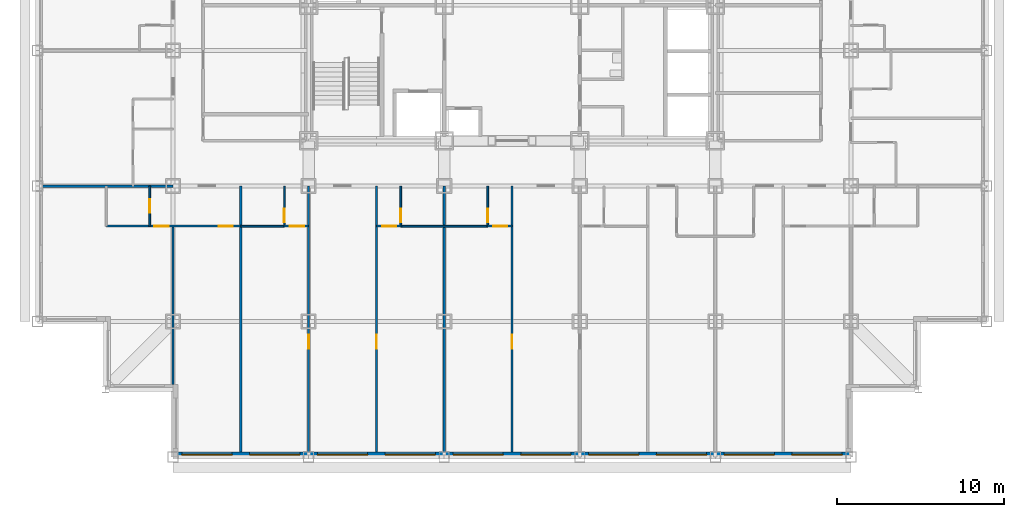
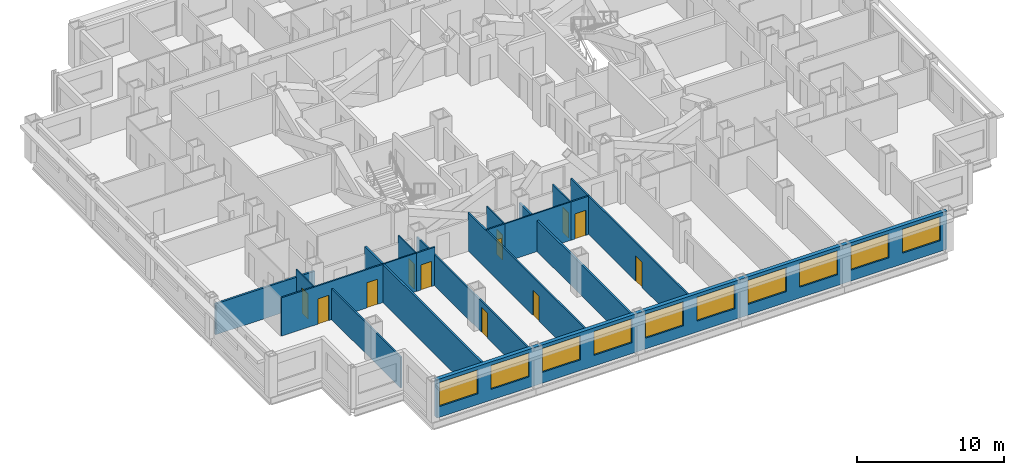
# One storey, part 4 of 14: 18 walls, 12 doors, 10 windows, 22 openings.
"""IFC4 building model written with IfcOpenShell, lengths in metres."""

from ifc_helpers import new_model, si_unit, direction, frame, frame_2d, origin, place, context, subcontext, project, spatial, rectangle, extrude, material, layer, layer_set, type_object, element, fill, save


model = new_model("IFC4")

# Units and contexts
model_context = context("Model", 3, precision=1e-05, world=origin(), true_north=direction((0.0, 1.0)))
body_context = subcontext(model_context, "Body", "Model", "MODEL_VIEW")
ifc_project = project(units=[si_unit("LENGTHUNIT", "METRE"), si_unit("AREAUNIT", "SQUARE_METRE"), si_unit("VOLUMEUNIT", "CUBIC_METRE"), si_unit("PLANEANGLEUNIT", "RADIAN"), si_unit("MASSUNIT", "GRAM", prefix="KILO")], contexts=[model_context])

# Site, building, storey
site_placement = place(None, origin())
site = spatial("IfcSite", under=ifc_project, at=site_placement, CompositionType="ELEMENT")
building_placement = place(site_placement, origin())
building = spatial("IfcBuilding", under=site, at=building_placement, Name="Kopane Lantern Tower", CompositionType="ELEMENT")
storey_placement = place(building_placement, frame((0.0, 0.0, 127.199951171875)))
storey = spatial("IfcBuildingStorey", under=building, at=storey_placement, Name="L32", CompositionType="ELEMENT", Elevation=127.199951171875)

# Wall, opening, door
ifc_material_1 = material(Name="Gypsum board on steel studs", Category="steel")
ifc_layer_1 = layer(ifc_material_1, 0.1201171875)
ifc_layer_set_1 = layer_set([ifc_layer_1], Name="APARTMENT INTERNAL WALL 120")
wall_type_1 = type_object("IfcWallType", Name="APARTMENT INTERNAL WALL 120", PredefinedType="PARTITIONING", material=ifc_layer_set_1)
wall_1_placement = place(storey_placement, frame((16.199951171875, 21.60009765625, 0.0), z_axis=(0.0, 0.0, 1.0), x_axis=(0.0, -1.0, 0.0)))
wall_1 = element("IfcWall", 1, at=wall_1_placement, inside=storey, type_object=wall_type_1, Name="Apartment Internal Wall 120 L32", PredefinedType="PARTITIONING", context=body_context, shape_type="SweptSolid", body=[
    extrude(rectangle(XDim=15.900146484375, YDim=0.1201171875, at=frame_2d((7.9501953125, 0.0))), origin(), (0.0, 0.0, 1.0), 2.577880859375),
])
opening_1_placement = place(wall_1_placement, frame((8.875, 0.0, 0.0)))
opening_1 = element("IfcOpeningElement", 2, at=opening_1_placement, cuts=wall_1, Name="Opening L32-017", PredefinedType="OPENING", context=body_context, shape_type="SweptSolid", body=[
    extrude(rectangle(XDim=0.85009765625, YDim=2.10009765625, at=frame_2d((0.425048828125, 1.050048828125))), frame((0.0, 0.070068359375, 0.0), z_axis=(0.0, -1.0, 0.0), x_axis=(1.0, 0.0, 0.0)), (0.0, 0.0, 1.0), 0.14013671875),
])
ifc_material_2 = material(Name="Timber door set", Category="wood")
door_type_1 = type_object("IfcDoorType", Name="DOOR D4 850x2100", OperationType="SINGLE_SWING_LEFT", PredefinedType="DOOR", material=ifc_material_2)
door_1_placement = place(opening_1_placement, origin())
door_1 = element("IfcDoor", 3, at=door_1_placement, inside=storey, type_object=door_type_1, Name="Door L32-017", OperationType="SINGLE_SWING_RIGHT", OverallHeight=2.10009765625, OverallWidth=0.85009765625, PredefinedType="DOOR", context=body_context, shape_type="SweptSolid", body=[
    extrude(rectangle(XDim=0.85009765625, YDim=2.10009765625, at=frame_2d((0.425048828125, 1.050048828125))), frame((0.0, 0.02490234375, 0.0), z_axis=(0.0, -1.0, 0.0), x_axis=(1.0, 0.0, 0.0)), (0.0, 0.0, 1.0), 0.050048828125),
])
fill(opening_1, door_1)

wall_2_placement = place(storey_placement, frame((20.25, 21.60009765625, 0.0), z_axis=(0.0, 0.0, 1.0), x_axis=(0.0, -1.0, 0.0)))
wall_2 = element("IfcWall", 4, at=wall_2_placement, inside=storey, type_object=wall_type_1, Name="Apartment Internal Wall 120 L32", PredefinedType="PARTITIONING", context=body_context, shape_type="SweptSolid", body=[
    extrude(rectangle(XDim=15.900146484375, YDim=0.1201171875, at=frame_2d((7.9501953125, 0.0))), origin(), (0.0, 0.0, 1.0), 3.18994140625),
])
opening_2_placement = place(wall_2_placement, frame((8.875, 0.0, 0.0)))
opening_2 = element("IfcOpeningElement", 5, at=opening_2_placement, cuts=wall_2, Name="Opening L32-019", PredefinedType="OPENING", context=body_context, shape_type="SweptSolid", body=[
    extrude(rectangle(XDim=0.85009765625, YDim=2.10009765625, at=frame_2d((0.425048828125, 1.050048828125))), frame((0.0, 0.070068359375, 0.0), z_axis=(0.0, -1.0, 0.0), x_axis=(1.0, 0.0, 0.0)), (0.0, 0.0, 1.0), 0.14013671875),
])
door_2_placement = place(opening_2_placement, origin())
door_2 = element("IfcDoor", 6, at=door_2_placement, inside=storey, type_object=door_type_1, Name="Door L32-019", OperationType="SINGLE_SWING_LEFT", OverallHeight=2.10009765625, OverallWidth=0.85009765625, PredefinedType="DOOR", context=body_context, shape_type="SweptSolid", body=[
    extrude(rectangle(XDim=0.85009765625, YDim=2.10009765625, at=frame_2d((0.425048828125, 1.050048828125))), frame((0.0, 0.02490234375, 0.0), z_axis=(0.0, -1.0, 0.0), x_axis=(1.0, 0.0, 0.0)), (0.0, 0.0, 1.0), 0.050048828125),
])
fill(opening_2, door_2)

wall_3_placement = place(storey_placement, frame((28.35009765625, 21.60009765625, 0.0), z_axis=(0.0, 0.0, 1.0), x_axis=(0.0, -1.0, 0.0)))
wall_3 = element("IfcWall", 7, at=wall_3_placement, inside=storey, type_object=wall_type_1, Name="Apartment Internal Wall 120 L32", PredefinedType="PARTITIONING", context=body_context, shape_type="SweptSolid", body=[
    extrude(rectangle(XDim=15.900146484375, YDim=0.1201171875, at=frame_2d((7.9501953125, 0.0))), origin(), (0.0, 0.0, 1.0), 3.18994140625),
])
opening_3_placement = place(wall_3_placement, frame((8.875, 0.0, 0.0)))
opening_3 = element("IfcOpeningElement", 8, at=opening_3_placement, cuts=wall_3, Name="Opening L32-022", PredefinedType="OPENING", context=body_context, shape_type="SweptSolid", body=[
    extrude(rectangle(XDim=0.85009765625, YDim=2.10009765625, at=frame_2d((0.425048828125, 1.050048828125))), frame((0.0, 0.070068359375, 0.0), z_axis=(0.0, -1.0, 0.0), x_axis=(1.0, 0.0, 0.0)), (0.0, 0.0, 1.0), 0.14013671875),
])
door_3_placement = place(opening_3_placement, origin())
door_3 = element("IfcDoor", 9, at=door_3_placement, inside=storey, type_object=door_type_1, Name="Door L32-022", OperationType="SINGLE_SWING_RIGHT", OverallHeight=2.10009765625, OverallWidth=0.85009765625, PredefinedType="DOOR", context=body_context, shape_type="SweptSolid", body=[
    extrude(rectangle(XDim=0.85009765625, YDim=2.10009765625, at=frame_2d((0.425048828125, 1.050048828125))), frame((0.0, 0.02490234375, 0.0), z_axis=(0.0, -1.0, 0.0), x_axis=(1.0, 0.0, 0.0)), (0.0, 0.0, 1.0), 0.050048828125),
])
fill(opening_3, door_3)

# Wall, openings, doors
wall_4_placement = place(storey_placement, frame((4.10009765625, 19.199951171875, 0.0), z_axis=(0.0, 0.0, 1.0), x_axis=(1.0, 0.0, 0.0)))
wall_4 = element("IfcWall", 10, at=wall_4_placement, inside=storey, type_object=wall_type_1, Name="Apartment Internal Wall 120 L32", PredefinedType="PARTITIONING", context=body_context, shape_type="SweptSolid", body=[
    extrude(rectangle(XDim=8.0498046875, YDim=0.1201171875, at=frame_2d((4.02490234375, 0.0))), origin(), (0.0, 0.0, 1.0), 3.18994140625),
])
opening_4_placement = place(wall_4_placement, frame((6.72509765625, 0.0, 0.0)))
opening_4 = element("IfcOpeningElement", 11, at=opening_4_placement, cuts=wall_4, Name="Opening L32-066", PredefinedType="OPENING", context=body_context, shape_type="SweptSolid", body=[
    extrude(rectangle(XDim=0.85009765625, YDim=2.10009765625, at=frame_2d((0.425048828125, 1.050048828125))), frame((0.0, 0.070068359375, 0.0), z_axis=(0.0, -1.0, 0.0), x_axis=(1.0, 0.0, 0.0)), (0.0, 0.0, 1.0), 0.14013671875),
])
opening_5_placement = place(wall_4_placement, frame((2.875, 0.0, 0.0)))
opening_5 = element("IfcOpeningElement", 12, at=opening_5_placement, cuts=wall_4, Name="Opening L32-068", PredefinedType="OPENING", context=body_context, shape_type="SweptSolid", body=[
    extrude(rectangle(XDim=0.85009765625, YDim=2.10009765625, at=frame_2d((0.425048828125, 1.050048828125))), frame((0.0, 0.070068359375, 0.0), z_axis=(0.0, -1.0, 0.0), x_axis=(1.0, 0.0, 0.0)), (0.0, 0.0, 1.0), 0.14013671875),
])
door_4_placement = place(opening_4_placement, origin())
door_4 = element("IfcDoor", 13, at=door_4_placement, inside=storey, type_object=door_type_1, Name="Door L32-066", OperationType="SINGLE_SWING_RIGHT", OverallHeight=2.10009765625, OverallWidth=0.85009765625, PredefinedType="DOOR", context=body_context, shape_type="SweptSolid", body=[
    extrude(rectangle(XDim=0.85009765625, YDim=2.10009765625, at=frame_2d((0.425048828125, 1.050048828125))), frame((0.0, 0.02490234375, 0.0), z_axis=(0.0, -1.0, 0.0), x_axis=(1.0, 0.0, 0.0)), (0.0, 0.0, 1.0), 0.050048828125),
])
fill(opening_4, door_4)
door_5_placement = place(opening_5_placement, origin())
door_5 = element("IfcDoor", 14, at=door_5_placement, inside=storey, type_object=door_type_1, Name="Door L32-068", OperationType="SINGLE_SWING_LEFT", OverallHeight=2.10009765625, OverallWidth=0.85009765625, PredefinedType="DOOR", context=body_context, shape_type="SweptSolid", body=[
    extrude(rectangle(XDim=0.85009765625, YDim=2.10009765625, at=frame_2d((0.425048828125, 1.050048828125))), frame((0.0, 0.02490234375, 0.0), z_axis=(0.0, -1.0, 0.0), x_axis=(1.0, 0.0, 0.0)), (0.0, 0.0, 1.0), 0.050048828125),
])
fill(opening_5, door_5)

# Wall
wall_5_placement = place(storey_placement, frame((8.10009765625, 19.199951171875, 0.0), z_axis=(0.0, 0.0, 1.0), x_axis=(0.0, -1.0, 0.0)))
element("IfcWall", 15, at=wall_5_placement, inside=storey, type_object=wall_type_1, Name="Apartment Internal Wall 120 L32", PredefinedType="PARTITIONING", context=body_context, shape_type="SweptSolid", body=[
    extrude(rectangle(XDim=9.449951171875, YDim=0.1201171875, at=frame_2d((4.72509765625, 0.0))), origin(), (0.0, 0.0, 1.0), 2.577880859375),
])

# Wall, opening, door
wall_6_placement = place(storey_placement, frame((16.199951171875, 19.199951171875, 0.0), z_axis=(0.0, 0.0, 1.0), x_axis=(-1.0, 0.0, 0.0)))
wall_6 = element("IfcWall", 16, at=wall_6_placement, inside=storey, type_object=wall_type_1, Name="Apartment Internal Wall 120 L32", PredefinedType="PARTITIONING", context=body_context, shape_type="SweptSolid", body=[
    extrude(rectangle(XDim=1.4599609375, YDim=0.1201171875, at=frame_2d((0.72998046875, 0.0))), origin(), (0.0, 0.0, 1.0), 3.18994140625),
])
opening_6_placement = place(wall_6_placement, frame((0.27490234375, 0.0, 0.0)))
opening_6 = element("IfcOpeningElement", 17, at=opening_6_placement, cuts=wall_6, Name="Opening L32-079", PredefinedType="OPENING", context=body_context, shape_type="SweptSolid", body=[
    extrude(rectangle(XDim=0.85009765625, YDim=2.10009765625, at=frame_2d((0.425048828125, 1.050048828125))), frame((0.0, 0.070068359375, 0.0), z_axis=(0.0, -1.0, 0.0), x_axis=(1.0, 0.0, 0.0)), (0.0, 0.0, 1.0), 0.14013671875),
])
door_6_placement = place(opening_6_placement, origin())
door_6 = element("IfcDoor", 18, at=door_6_placement, inside=storey, type_object=door_type_1, Name="Door L32-079", OperationType="SINGLE_SWING_LEFT", OverallHeight=2.10009765625, OverallWidth=0.85009765625, PredefinedType="DOOR", context=body_context, shape_type="SweptSolid", body=[
    extrude(rectangle(XDim=0.85009765625, YDim=2.10009765625, at=frame_2d((0.425048828125, 1.050048828125))), frame((0.0, 0.02490234375, 0.0), z_axis=(0.0, -1.0, 0.0), x_axis=(1.0, 0.0, 0.0)), (0.0, 0.0, 1.0), 0.050048828125),
])
fill(opening_6, door_6)

wall_7_placement = place(storey_placement, frame((21.7099609375, 19.199951171875, 0.0), z_axis=(0.0, 0.0, 1.0), x_axis=(-1.0, 0.0, 0.0)))
wall_7 = element("IfcWall", 19, at=wall_7_placement, inside=storey, type_object=wall_type_1, Name="Apartment Internal Wall 120 L32", PredefinedType="PARTITIONING", context=body_context, shape_type="SweptSolid", body=[
    extrude(rectangle(XDim=1.4599609375, YDim=0.1201171875, at=frame_2d((0.72998046875, 0.0))), origin(), (0.0, 0.0, 1.0), 3.18994140625),
])
opening_7_placement = place(wall_7_placement, frame((0.27490234375, 0.0, 0.0)))
opening_7 = element("IfcOpeningElement", 20, at=opening_7_placement, cuts=wall_7, Name="Opening L32-080", PredefinedType="OPENING", context=body_context, shape_type="SweptSolid", body=[
    extrude(rectangle(XDim=0.85009765625, YDim=2.10009765625, at=frame_2d((0.425048828125, 1.050048828125))), frame((0.0, 0.070068359375, 0.0), z_axis=(0.0, -1.0, 0.0), x_axis=(1.0, 0.0, 0.0)), (0.0, 0.0, 1.0), 0.14013671875),
])
door_7_placement = place(opening_7_placement, origin())
door_7 = element("IfcDoor", 21, at=door_7_placement, inside=storey, type_object=door_type_1, Name="Door L32-080", OperationType="SINGLE_SWING_RIGHT", OverallHeight=2.10009765625, OverallWidth=0.85009765625, PredefinedType="DOOR", context=body_context, shape_type="SweptSolid", body=[
    extrude(rectangle(XDim=0.85009765625, YDim=2.10009765625, at=frame_2d((0.425048828125, 1.050048828125))), frame((0.0, 0.02490234375, 0.0), z_axis=(0.0, -1.0, 0.0), x_axis=(1.0, 0.0, 0.0)), (0.0, 0.0, 1.0), 0.050048828125),
])
fill(opening_7, door_7)

wall_8_placement = place(storey_placement, frame((28.35009765625, 19.199951171875, 0.0), z_axis=(0.0, 0.0, 1.0), x_axis=(-1.0, 0.0, 0.0)))
wall_8 = element("IfcWall", 22, at=wall_8_placement, inside=storey, type_object=wall_type_1, Name="Apartment Internal Wall 120 L32", PredefinedType="PARTITIONING", context=body_context, shape_type="SweptSolid", body=[
    extrude(rectangle(XDim=1.460205078125, YDim=0.1201171875, at=frame_2d((0.72998046875, 0.0))), origin(), (0.0, 0.0, 1.0), 3.18994140625),
])
opening_8_placement = place(wall_8_placement, frame((0.27490234375, 0.0, 0.0)))
opening_8 = element("IfcOpeningElement", 23, at=opening_8_placement, cuts=wall_8, Name="Opening L32-081", PredefinedType="OPENING", context=body_context, shape_type="SweptSolid", body=[
    extrude(rectangle(XDim=0.85009765625, YDim=2.10009765625, at=frame_2d((0.425048828125, 1.050048828125))), frame((0.0, 0.070068359375, 0.0), z_axis=(0.0, -1.0, 0.0), x_axis=(1.0, 0.0, 0.0)), (0.0, 0.0, 1.0), 0.14013671875),
])
door_8_placement = place(opening_8_placement, origin())
door_8 = element("IfcDoor", 24, at=door_8_placement, inside=storey, type_object=door_type_1, Name="Door L32-081", OperationType="SINGLE_SWING_LEFT", OverallHeight=2.10009765625, OverallWidth=0.85009765625, PredefinedType="DOOR", context=body_context, shape_type="SweptSolid", body=[
    extrude(rectangle(XDim=0.85009765625, YDim=2.10009765625, at=frame_2d((0.425048828125, 1.050048828125))), frame((0.0, 0.02490234375, 0.0), z_axis=(0.0, -1.0, 0.0), x_axis=(1.0, 0.0, 0.0)), (0.0, 0.0, 1.0), 0.050048828125),
])
fill(opening_8, door_8)

# Wall
ifc_material_3 = material(Name="Moisture-resistant board on steel studs", Category="steel")
ifc_layer_2 = layer(ifc_material_3, 0.10009765625)
ifc_layer_set_2 = layer_set([ifc_layer_2], Name="BATHROOM WALL 100")
wall_type_2 = type_object("IfcWallType", Name="BATHROOM WALL 100", PredefinedType="PARTITIONING", material=ifc_layer_set_2)
wall_9_placement = place(storey_placement, frame((12.14990234375, 19.199951171875, 0.0), z_axis=(0.0, 0.0, 1.0), x_axis=(1.0, 0.0, 0.0)))
element("IfcWall", 25, at=wall_9_placement, inside=storey, type_object=wall_type_2, Name="Bathroom Wall 100 L32", PredefinedType="PARTITIONING", context=body_context, shape_type="SweptSolid", body=[
    extrude(rectangle(XDim=2.60009765625, YDim=0.10009765625, at=frame_2d((1.300048828125, 0.0))), origin(), (0.0, 0.0, 1.0), 3.18994140625),
])

# Wall, opening, door
wall_10_placement = place(storey_placement, frame((14.75, 21.60009765625, 0.0), z_axis=(0.0, 0.0, 1.0), x_axis=(0.0, -1.0, 0.0)))
wall_10 = element("IfcWall", 26, at=wall_10_placement, inside=storey, type_object=wall_type_2, Name="Bathroom Wall 100 L32", PredefinedType="PARTITIONING", context=body_context, shape_type="SweptSolid", body=[
    extrude(rectangle(XDim=2.400146484375, YDim=0.10009765625, at=frame_2d((1.2001953125, 0.0))), origin(), (0.0, 0.0, 1.0), 3.18994140625),
])
opening_9_placement = place(wall_10_placement, frame((1.35009765625, 0.0, 0.0)))
opening_9 = element("IfcOpeningElement", 27, at=opening_9_placement, cuts=wall_10, Name="Opening L32-016", PredefinedType="OPENING", context=body_context, shape_type="SweptSolid", body=[
    extrude(rectangle(XDim=0.800048828125, YDim=2.10009765625, at=frame_2d((0.39990234375, 1.050048828125))), frame((0.0, 0.06005859375, 0.0), z_axis=(0.0, -1.0, 0.0), x_axis=(1.0, 0.0, 0.0)), (0.0, 0.0, 1.0), 0.1201171875),
])
ifc_material_4 = material(Name="Timber door set", Category="wood")
door_type_2 = type_object("IfcDoorType", Name="DOOR D2 800x2100", OperationType="SINGLE_SWING_LEFT", PredefinedType="DOOR", material=ifc_material_4)
door_9_placement = place(opening_9_placement, origin())
door_9 = element("IfcDoor", 28, at=door_9_placement, inside=storey, type_object=door_type_2, Name="Door L32-016", OperationType="SINGLE_SWING_RIGHT", OverallHeight=2.10009765625, OverallWidth=0.800048828125, PredefinedType="DOOR", context=body_context, shape_type="SweptSolid", body=[
    extrude(rectangle(XDim=0.800048828125, YDim=2.10009765625, at=frame_2d((0.39990234375, 1.050048828125))), frame((0.0, 0.02490234375, 0.0), z_axis=(0.0, -1.0, 0.0), x_axis=(1.0, 0.0, 0.0)), (0.0, 0.0, 1.0), 0.050048828125),
])
fill(opening_9, door_9)

# Wall
wall_11_placement = place(storey_placement, frame((21.699951171875, 19.199951171875, 0.0), z_axis=(0.0, 0.0, 1.0), x_axis=(1.0, 0.0, 0.0)))
element("IfcWall", 29, at=wall_11_placement, inside=storey, type_object=wall_type_2, Name="Bathroom Wall 100 L32", PredefinedType="PARTITIONING", context=body_context, shape_type="SweptSolid", body=[
    extrude(rectangle(XDim=5.199951171875, YDim=0.10009765625, at=frame_2d((2.60009765625, 0.0))), origin(), (0.0, 0.0, 1.0), 3.18994140625),
])

# Wall, opening, door
wall_12_placement = place(storey_placement, frame((21.699951171875, 21.60009765625, 0.0), z_axis=(0.0, 0.0, 1.0), x_axis=(0.0, -1.0, 0.0)))
wall_12 = element("IfcWall", 30, at=wall_12_placement, inside=storey, type_object=wall_type_2, Name="Bathroom Wall 100 L32", PredefinedType="PARTITIONING", context=body_context, shape_type="SweptSolid", body=[
    extrude(rectangle(XDim=2.400146484375, YDim=0.10009765625, at=frame_2d((1.2001953125, 0.0))), origin(), (0.0, 0.0, 1.0), 3.18994140625),
])
opening_10_placement = place(wall_12_placement, frame((1.35009765625, 0.0, 0.0)))
opening_10 = element("IfcOpeningElement", 31, at=opening_10_placement, cuts=wall_12, Name="Opening L32-018", PredefinedType="OPENING", context=body_context, shape_type="SweptSolid", body=[
    extrude(rectangle(XDim=0.800048828125, YDim=2.10009765625, at=frame_2d((0.39990234375, 1.050048828125))), frame((0.0, 0.06005859375, 0.0), z_axis=(0.0, -1.0, 0.0), x_axis=(1.0, 0.0, 0.0)), (0.0, 0.0, 1.0), 0.1201171875),
])
door_10_placement = place(opening_10_placement, origin())
door_10 = element("IfcDoor", 32, at=door_10_placement, inside=storey, type_object=door_type_2, Name="Door L32-018", OperationType="SINGLE_SWING_LEFT", OverallHeight=2.10009765625, OverallWidth=0.800048828125, PredefinedType="DOOR", context=body_context, shape_type="SweptSolid", body=[
    extrude(rectangle(XDim=0.800048828125, YDim=2.10009765625, at=frame_2d((0.39990234375, 1.050048828125))), frame((0.0, 0.02490234375, 0.0), z_axis=(0.0, -1.0, 0.0), x_axis=(1.0, 0.0, 0.0)), (0.0, 0.0, 1.0), 0.050048828125),
])
fill(opening_10, door_10)

wall_13_placement = place(storey_placement, frame((26.89990234375, 21.60009765625, 0.0), z_axis=(0.0, 0.0, 1.0), x_axis=(0.0, -1.0, 0.0)))
wall_13 = element("IfcWall", 33, at=wall_13_placement, inside=storey, type_object=wall_type_2, Name="Bathroom Wall 100 L32", PredefinedType="PARTITIONING", context=body_context, shape_type="SweptSolid", body=[
    extrude(rectangle(XDim=2.400146484375, YDim=0.10009765625, at=frame_2d((1.2001953125, 0.0))), origin(), (0.0, 0.0, 1.0), 3.18994140625),
])
opening_11_placement = place(wall_13_placement, frame((1.35009765625, 0.0, 0.0)))
opening_11 = element("IfcOpeningElement", 34, at=opening_11_placement, cuts=wall_13, Name="Opening L32-021", PredefinedType="OPENING", context=body_context, shape_type="SweptSolid", body=[
    extrude(rectangle(XDim=0.800048828125, YDim=2.10009765625, at=frame_2d((0.39990234375, 1.050048828125))), frame((0.0, 0.06005859375, 0.0), z_axis=(0.0, -1.0, 0.0), x_axis=(1.0, 0.0, 0.0)), (0.0, 0.0, 1.0), 0.1201171875),
])
door_11_placement = place(opening_11_placement, origin())
door_11 = element("IfcDoor", 35, at=door_11_placement, inside=storey, type_object=door_type_2, Name="Door L32-021", OperationType="SINGLE_SWING_RIGHT", OverallHeight=2.10009765625, OverallWidth=0.800048828125, PredefinedType="DOOR", context=body_context, shape_type="SweptSolid", body=[
    extrude(rectangle(XDim=0.800048828125, YDim=2.10009765625, at=frame_2d((0.39990234375, 1.050048828125))), frame((0.0, 0.02490234375, 0.0), z_axis=(0.0, -1.0, 0.0), x_axis=(1.0, 0.0, 0.0)), (0.0, 0.0, 1.0), 0.050048828125),
])
fill(opening_11, door_11)

wall_14_placement = place(storey_placement, frame((6.699951171875, 21.60009765625, 0.0), z_axis=(0.0, 0.0, 1.0), x_axis=(0.0, -1.0, 0.0)))
wall_14 = element("IfcWall", 36, at=wall_14_placement, inside=storey, type_object=wall_type_2, Name="Bathroom Wall 100 L32", PredefinedType="PARTITIONING", context=body_context, shape_type="SweptSolid", body=[
    extrude(rectangle(XDim=2.400146484375, YDim=0.10009765625, at=frame_2d((1.2001953125, 0.0))), origin(), (0.0, 0.0, 1.0), 3.18994140625),
])
opening_12_placement = place(wall_14_placement, frame((0.800048828125, 0.0, 0.0)))
opening_12 = element("IfcOpeningElement", 37, at=opening_12_placement, cuts=wall_14, Name="Opening L32-067", PredefinedType="OPENING", context=body_context, shape_type="SweptSolid", body=[
    extrude(rectangle(XDim=0.800048828125, YDim=2.10009765625, at=frame_2d((0.39990234375, 1.050048828125))), frame((0.0, 0.06005859375, 0.0), z_axis=(0.0, -1.0, 0.0), x_axis=(1.0, 0.0, 0.0)), (0.0, 0.0, 1.0), 0.1201171875),
])
door_12_placement = place(opening_12_placement, origin())
door_12 = element("IfcDoor", 38, at=door_12_placement, inside=storey, type_object=door_type_2, Name="Door L32-067", OperationType="SINGLE_SWING_RIGHT", OverallHeight=2.10009765625, OverallWidth=0.800048828125, PredefinedType="DOOR", context=body_context, shape_type="SweptSolid", body=[
    extrude(rectangle(XDim=0.800048828125, YDim=2.10009765625, at=frame_2d((0.39990234375, 1.050048828125))), frame((0.0, 0.02490234375, 0.0), z_axis=(0.0, -1.0, 0.0), x_axis=(1.0, 0.0, 0.0)), (0.0, 0.0, 1.0), 0.050048828125),
])
fill(opening_12, door_12)

# Walls
ifc_material_5 = material(Name="Gypsum board on steel studs", Category="steel")
ifc_layer_3 = layer(ifc_material_5, 0.14990234375)
ifc_layer_set_3 = layer_set([ifc_layer_3], Name="DEMISING WALL 150 EI 60")
wall_type_3 = type_object("IfcWallType", Name="DEMISING WALL 150 EI 60", PredefinedType="PARTITIONING", material=ifc_layer_set_3)
wall_15_placement = place(storey_placement, frame((24.300048828125, 21.60009765625, 0.0), z_axis=(0.0, 0.0, 1.0), x_axis=(0.0, -1.0, 0.0)))
element("IfcWall", 39, at=wall_15_placement, inside=storey, type_object=wall_type_3, Name="Demising Wall 150 Ei 60 L32", PredefinedType="PARTITIONING", context=body_context, shape_type="SweptSolid", body=[
    extrude(rectangle(XDim=15.900146484375, YDim=0.14990234375, at=frame_2d((7.9501953125, 0.0))), origin(), (0.0, 0.0, 1.0), 2.577880859375),
])
wall_16_placement = place(storey_placement, frame((0.300048828125, 21.60009765625, 0.0), z_axis=(0.0, 0.0, 1.0), x_axis=(1.0, 0.0, 0.0)))
element("IfcWall", 40, at=wall_16_placement, inside=storey, type_object=wall_type_3, Name="Demising Wall 150 Ei 60 L32", PredefinedType="PARTITIONING", context=body_context, shape_type="SweptSolid", body=[
    extrude(rectangle(XDim=7.800048828125, YDim=0.14990234375, at=frame_2d((3.89990234375, 0.0))), origin(), (0.0, 0.0, 1.0), 2.577880859375),
])
wall_17_placement = place(storey_placement, frame((12.14990234375, 21.60009765625, 0.0), z_axis=(0.0, 0.0, 1.0), x_axis=(0.0, -1.0, 0.0)))
element("IfcWall", 41, at=wall_17_placement, inside=storey, type_object=wall_type_3, Name="Demising Wall 150 Ei 60 L32", PredefinedType="PARTITIONING", context=body_context, shape_type="SweptSolid", body=[
    extrude(rectangle(XDim=15.900146484375, YDim=0.14990234375, at=frame_2d((7.9501953125, 0.0))), origin(), (0.0, 0.0, 1.0), 3.18994140625),
])

# Wall, openings, windows
ifc_material_6 = material(Name="Terracotta rainscreen on light steel framing", Category="masonry")
ifc_layer_4 = layer(ifc_material_6, 0.300048828125)
ifc_layer_set_4 = layer_set([ifc_layer_4], Name="EXTERNAL WALL EW1 300 TERRACOTTA")
wall_type_4 = type_object("IfcWallType", Name="EXTERNAL WALL EW1 300 TERRACOTTA", PredefinedType="SOLIDWALL", material=ifc_layer_set_4)
wall_18_placement = place(storey_placement, frame((8.39990234375, 5.550048828125, 0.0), z_axis=(0.0, 0.0, 1.0), x_axis=(1.0, 0.0, 0.0)))
wall_18 = element("IfcWall", 42, at=wall_18_placement, inside=storey, type_object=wall_type_4, Name="External wall S L32", PredefinedType="SOLIDWALL", context=body_context, shape_type="SweptSolid", body=[
    extrude(rectangle(XDim=40.2001953125, YDim=0.300048828125, at=frame_2d((20.10009765625, 0.0))), origin(), (0.0, 0.0, 1.0), 3.18994140625),
])
opening_13_placement = place(wall_18_placement, frame((0.22509765625, 0.0, 0.89990234375)))
opening_13 = element("IfcOpeningElement", 43, at=opening_13_placement, cuts=wall_18, Name="Opening WR300200", PredefinedType="OPENING", context=body_context, shape_type="SweptSolid", body=[
    extrude(rectangle(XDim=3.0, YDim=2.0, at=frame_2d((1.5, 1.0))), frame((0.0, 0.159912109375, 0.0), z_axis=(0.0, -1.0, 0.0), x_axis=(1.0, 0.0, 0.0)), (0.0, 0.0, 1.0), 0.320068359375),
])
opening_14_placement = place(wall_18_placement, frame((4.27490234375, 0.0, 0.89990234375)))
opening_14 = element("IfcOpeningElement", 44, at=opening_14_placement, cuts=wall_18, Name="Opening WR300200", PredefinedType="OPENING", context=body_context, shape_type="SweptSolid", body=[
    extrude(rectangle(XDim=3.0, YDim=2.0, at=frame_2d((1.5, 1.0))), frame((0.0, 0.159912109375, 0.0), z_axis=(0.0, -1.0, 0.0), x_axis=(1.0, 0.0, 0.0)), (0.0, 0.0, 1.0), 0.320068359375),
])
opening_15_placement = place(wall_18_placement, frame((8.324951171875, 0.0, 0.89990234375)))
opening_15 = element("IfcOpeningElement", 45, at=opening_15_placement, cuts=wall_18, Name="Opening WR300200", PredefinedType="OPENING", context=body_context, shape_type="SweptSolid", body=[
    extrude(rectangle(XDim=3.0, YDim=2.0, at=frame_2d((1.5, 1.0))), frame((0.0, 0.159912109375, 0.0), z_axis=(0.0, -1.0, 0.0), x_axis=(1.0, 0.0, 0.0)), (0.0, 0.0, 1.0), 0.320068359375),
])
opening_16_placement = place(wall_18_placement, frame((12.375, 0.0, 0.89990234375)))
opening_16 = element("IfcOpeningElement", 46, at=opening_16_placement, cuts=wall_18, Name="Opening WR300200", PredefinedType="OPENING", context=body_context, shape_type="SweptSolid", body=[
    extrude(rectangle(XDim=3.0, YDim=2.0, at=frame_2d((1.5, 1.0))), frame((0.0, 0.159912109375, 0.0), z_axis=(0.0, -1.0, 0.0), x_axis=(1.0, 0.0, 0.0)), (0.0, 0.0, 1.0), 0.320068359375),
])
opening_17_placement = place(wall_18_placement, frame((16.425048828125, 0.0, 0.89990234375)))
opening_17 = element("IfcOpeningElement", 47, at=opening_17_placement, cuts=wall_18, Name="Opening WR300200", PredefinedType="OPENING", context=body_context, shape_type="SweptSolid", body=[
    extrude(rectangle(XDim=3.0, YDim=2.0, at=frame_2d((1.5, 1.0))), frame((0.0, 0.159912109375, 0.0), z_axis=(0.0, -1.0, 0.0), x_axis=(1.0, 0.0, 0.0)), (0.0, 0.0, 1.0), 0.320068359375),
])
opening_18_placement = place(wall_18_placement, frame((20.47509765625, 0.0, 0.89990234375)))
opening_18 = element("IfcOpeningElement", 48, at=opening_18_placement, cuts=wall_18, Name="Opening WR300200", PredefinedType="OPENING", context=body_context, shape_type="SweptSolid", body=[
    extrude(rectangle(XDim=3.0, YDim=2.0, at=frame_2d((1.5, 1.0))), frame((0.0, 0.159912109375, 0.0), z_axis=(0.0, -1.0, 0.0), x_axis=(1.0, 0.0, 0.0)), (0.0, 0.0, 1.0), 0.320068359375),
])
opening_19_placement = place(wall_18_placement, frame((24.52490234375, 0.0, 0.89990234375)))
opening_19 = element("IfcOpeningElement", 49, at=opening_19_placement, cuts=wall_18, Name="Opening WR300200", PredefinedType="OPENING", context=body_context, shape_type="SweptSolid", body=[
    extrude(rectangle(XDim=3.0, YDim=2.0, at=frame_2d((1.5, 1.0))), frame((0.0, 0.159912109375, 0.0), z_axis=(0.0, -1.0, 0.0), x_axis=(1.0, 0.0, 0.0)), (0.0, 0.0, 1.0), 0.320068359375),
])
opening_20_placement = place(wall_18_placement, frame((28.574951171875, 0.0, 0.89990234375)))
opening_20 = element("IfcOpeningElement", 50, at=opening_20_placement, cuts=wall_18, Name="Opening WR300200", PredefinedType="OPENING", context=body_context, shape_type="SweptSolid", body=[
    extrude(rectangle(XDim=3.0, YDim=2.0, at=frame_2d((1.5, 1.0))), frame((0.0, 0.159912109375, 0.0), z_axis=(0.0, -1.0, 0.0), x_axis=(1.0, 0.0, 0.0)), (0.0, 0.0, 1.0), 0.320068359375),
])
opening_21_placement = place(wall_18_placement, frame((32.625, 0.0, 0.89990234375)))
opening_21 = element("IfcOpeningElement", 51, at=opening_21_placement, cuts=wall_18, Name="Opening WR300200", PredefinedType="OPENING", context=body_context, shape_type="SweptSolid", body=[
    extrude(rectangle(XDim=3.0, YDim=2.0, at=frame_2d((1.5, 1.0))), frame((0.0, 0.159912109375, 0.0), z_axis=(0.0, -1.0, 0.0), x_axis=(1.0, 0.0, 0.0)), (0.0, 0.0, 1.0), 0.320068359375),
])
opening_22_placement = place(wall_18_placement, frame((36.675048828125, 0.0, 0.89990234375)))
opening_22 = element("IfcOpeningElement", 52, at=opening_22_placement, cuts=wall_18, Name="Opening WR300200", PredefinedType="OPENING", context=body_context, shape_type="SweptSolid", body=[
    extrude(rectangle(XDim=3.0, YDim=2.0, at=frame_2d((1.5, 1.0))), frame((0.0, 0.159912109375, 0.0), z_axis=(0.0, -1.0, 0.0), x_axis=(1.0, 0.0, 0.0)), (0.0, 0.0, 1.0), 0.320068359375),
])
ifc_material_7 = material(Name="Aluminium and clear glass", Category="aluminium")
window_type = type_object("IfcWindowType", Name="RIBBON WINDOW WR300200 3000x2000", PartitioningType="SINGLE_PANEL", PredefinedType="WINDOW", material=ifc_material_7)
window_1_placement = place(opening_13_placement, origin())
window_1 = element("IfcWindow", 53, at=window_1_placement, inside=storey, type_object=window_type, Name="Window S L32", OverallHeight=2.0, OverallWidth=3.0, PartitioningType="SINGLE_PANEL", PredefinedType="WINDOW", context=body_context, shape_type="SweptSolid", body=[
    extrude(rectangle(XDim=3.0, YDim=2.0, at=frame_2d((1.5, 1.0))), frame((0.0, 0.030029296875, 0.0), z_axis=(0.0, -1.0, 0.0), x_axis=(1.0, 0.0, 0.0)), (0.0, 0.0, 1.0), 0.06005859375),
])
fill(opening_13, window_1)
window_2_placement = place(opening_14_placement, origin())
window_2 = element("IfcWindow", 54, at=window_2_placement, inside=storey, type_object=window_type, Name="Window S L32", OverallHeight=2.0, OverallWidth=3.0, PartitioningType="SINGLE_PANEL", PredefinedType="WINDOW", context=body_context, shape_type="SweptSolid", body=[
    extrude(rectangle(XDim=3.0, YDim=2.0, at=frame_2d((1.5, 1.0))), frame((0.0, 0.030029296875, 0.0), z_axis=(0.0, -1.0, 0.0), x_axis=(1.0, 0.0, 0.0)), (0.0, 0.0, 1.0), 0.06005859375),
])
fill(opening_14, window_2)
window_3_placement = place(opening_15_placement, origin())
window_3 = element("IfcWindow", 55, at=window_3_placement, inside=storey, type_object=window_type, Name="Window S L32", OverallHeight=2.0, OverallWidth=3.0, PartitioningType="SINGLE_PANEL", PredefinedType="WINDOW", context=body_context, shape_type="SweptSolid", body=[
    extrude(rectangle(XDim=3.0, YDim=2.0, at=frame_2d((1.5, 1.0))), frame((0.0, 0.030029296875, 0.0), z_axis=(0.0, -1.0, 0.0), x_axis=(1.0, 0.0, 0.0)), (0.0, 0.0, 1.0), 0.06005859375),
])
fill(opening_15, window_3)
window_4_placement = place(opening_16_placement, origin())
window_4 = element("IfcWindow", 56, at=window_4_placement, inside=storey, type_object=window_type, Name="Window S L32", OverallHeight=2.0, OverallWidth=3.0, PartitioningType="SINGLE_PANEL", PredefinedType="WINDOW", context=body_context, shape_type="SweptSolid", body=[
    extrude(rectangle(XDim=3.0, YDim=2.0, at=frame_2d((1.5, 1.0))), frame((0.0, 0.030029296875, 0.0), z_axis=(0.0, -1.0, 0.0), x_axis=(1.0, 0.0, 0.0)), (0.0, 0.0, 1.0), 0.06005859375),
])
fill(opening_16, window_4)
window_5_placement = place(opening_17_placement, origin())
window_5 = element("IfcWindow", 57, at=window_5_placement, inside=storey, type_object=window_type, Name="Window S L32", OverallHeight=2.0, OverallWidth=3.0, PartitioningType="SINGLE_PANEL", PredefinedType="WINDOW", context=body_context, shape_type="SweptSolid", body=[
    extrude(rectangle(XDim=3.0, YDim=2.0, at=frame_2d((1.5, 1.0))), frame((0.0, 0.030029296875, 0.0), z_axis=(0.0, -1.0, 0.0), x_axis=(1.0, 0.0, 0.0)), (0.0, 0.0, 1.0), 0.06005859375),
])
fill(opening_17, window_5)
window_6_placement = place(opening_18_placement, origin())
window_6 = element("IfcWindow", 58, at=window_6_placement, inside=storey, type_object=window_type, Name="Window S L32", OverallHeight=2.0, OverallWidth=3.0, PartitioningType="SINGLE_PANEL", PredefinedType="WINDOW", context=body_context, shape_type="SweptSolid", body=[
    extrude(rectangle(XDim=3.0, YDim=2.0, at=frame_2d((1.5, 1.0))), frame((0.0, 0.030029296875, 0.0), z_axis=(0.0, -1.0, 0.0), x_axis=(1.0, 0.0, 0.0)), (0.0, 0.0, 1.0), 0.06005859375),
])
fill(opening_18, window_6)
window_7_placement = place(opening_19_placement, origin())
window_7 = element("IfcWindow", 59, at=window_7_placement, inside=storey, type_object=window_type, Name="Window S L32", OverallHeight=2.0, OverallWidth=3.0, PartitioningType="SINGLE_PANEL", PredefinedType="WINDOW", context=body_context, shape_type="SweptSolid", body=[
    extrude(rectangle(XDim=3.0, YDim=2.0, at=frame_2d((1.5, 1.0))), frame((0.0, 0.030029296875, 0.0), z_axis=(0.0, -1.0, 0.0), x_axis=(1.0, 0.0, 0.0)), (0.0, 0.0, 1.0), 0.06005859375),
])
fill(opening_19, window_7)
window_8_placement = place(opening_20_placement, origin())
window_8 = element("IfcWindow", 60, at=window_8_placement, inside=storey, type_object=window_type, Name="Window S L32", OverallHeight=2.0, OverallWidth=3.0, PartitioningType="SINGLE_PANEL", PredefinedType="WINDOW", context=body_context, shape_type="SweptSolid", body=[
    extrude(rectangle(XDim=3.0, YDim=2.0, at=frame_2d((1.5, 1.0))), frame((0.0, 0.030029296875, 0.0), z_axis=(0.0, -1.0, 0.0), x_axis=(1.0, 0.0, 0.0)), (0.0, 0.0, 1.0), 0.06005859375),
])
fill(opening_20, window_8)
window_9_placement = place(opening_21_placement, origin())
window_9 = element("IfcWindow", 61, at=window_9_placement, inside=storey, type_object=window_type, Name="Window S L32", OverallHeight=2.0, OverallWidth=3.0, PartitioningType="SINGLE_PANEL", PredefinedType="WINDOW", context=body_context, shape_type="SweptSolid", body=[
    extrude(rectangle(XDim=3.0, YDim=2.0, at=frame_2d((1.5, 1.0))), frame((0.0, 0.030029296875, 0.0), z_axis=(0.0, -1.0, 0.0), x_axis=(1.0, 0.0, 0.0)), (0.0, 0.0, 1.0), 0.06005859375),
])
fill(opening_21, window_9)
window_10_placement = place(opening_22_placement, origin())
window_10 = element("IfcWindow", 62, at=window_10_placement, inside=storey, type_object=window_type, Name="Window S L32", OverallHeight=2.0, OverallWidth=3.0, PartitioningType="SINGLE_PANEL", PredefinedType="WINDOW", context=body_context, shape_type="SweptSolid", body=[
    extrude(rectangle(XDim=3.0, YDim=2.0, at=frame_2d((1.5, 1.0))), frame((0.0, 0.030029296875, 0.0), z_axis=(0.0, -1.0, 0.0), x_axis=(1.0, 0.0, 0.0)), (0.0, 0.0, 1.0), 0.06005859375),
])
fill(opening_22, window_10)

save(model, "model.ifc")
